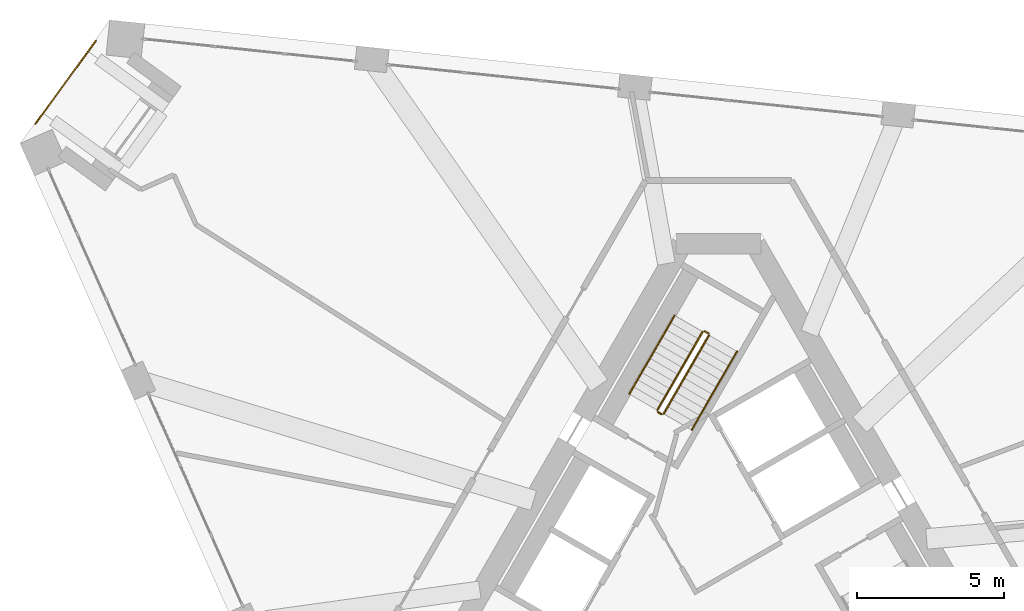
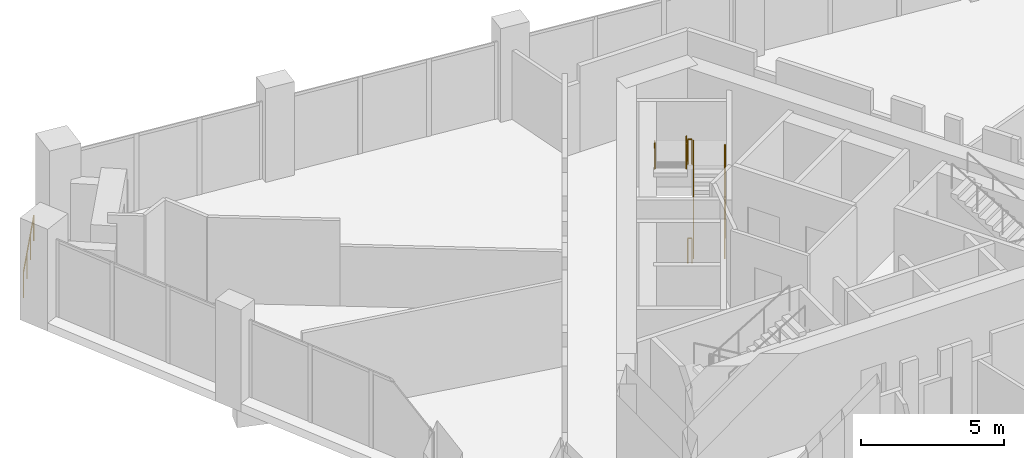
# One storey, part 13 of 15: 7 railings.
"""IFC4 building model written with IfcOpenShell, lengths in metres."""

from ifc_helpers import new_model, si_unit, direction, frame, origin, origin_2d, place, context, subcontext, project, spatial, circle, extrude, material, type_object, element, save


model = new_model("IFC4")

# Units and contexts
model_context = context("Model", 3, precision=1e-05, world=origin(), true_north=direction((0.0, 1.0)))
body_context = subcontext(model_context, "Body", "Model", "MODEL_VIEW")
ifc_project = project(units=[si_unit("LENGTHUNIT", "METRE"), si_unit("AREAUNIT", "SQUARE_METRE"), si_unit("VOLUMEUNIT", "CUBIC_METRE"), si_unit("PLANEANGLEUNIT", "RADIAN"), si_unit("MASSUNIT", "GRAM", prefix="KILO")], contexts=[model_context])

# Site, building, storey
site_placement = place(None, origin())
site = spatial("IfcSite", under=ifc_project, at=site_placement, CompositionType="ELEMENT")
building_placement = place(site_placement, origin())
building = spatial("IfcBuilding", under=site, at=building_placement, Name="Tramontana Tower", CompositionType="ELEMENT")
storey_placement = place(building_placement, frame((0.0, 0.0, 237.199951171875)))
storey = spatial("IfcBuildingStorey", under=building, at=storey_placement, Name="L55", CompositionType="ELEMENT", Elevation=237.199951171875)

# Railings
ifc_material_1 = material(Name="Laminated glass balustrade", Category="glass")
railing_type_1 = type_object("IfcRailingType", Name="GD1 Loggia glass balustrade 1100", PredefinedType="BALUSTRADE", material=ifc_material_1)
railing_1_placement = place(storey_placement, frame((-23.25244140625, 14.730712890625, 0.0)))
element("IfcRailing", 1, at=railing_1_placement, inside=storey, type_object=railing_type_1, Name="Corner loggia balustrade L55 K60", PredefinedType="BALUSTRADE", context=body_context, shape_type="SweptSolid", body=[
    extrude(circle(Radius=0.02392578125, at=origin_2d()), frame((0.0, 0.0, 1.076171875), z_axis=(0.587810807352, 0.808998426921, 0.0), x_axis=(-0.808998426921, 0.587810807352, 0.0)), (0.0, 0.0, 1.0), 3.5),
    extrude(circle(Radius=0.02099609375, at=origin_2d()), origin(), (0.0, 0.0, 1.0), 1.052001953125),
    extrude(circle(Radius=0.02099609375, at=origin_2d()), frame((0.685791015625, 0.94384765625, 0.0)), (0.0, 0.0, 1.0), 1.052001953125),
    extrude(circle(Radius=0.02099609375, at=origin_2d()), frame((1.37158203125, 1.8876953125, 0.0)), (0.0, 0.0, 1.0), 1.052001953125),
    extrude(circle(Radius=0.02099609375, at=origin_2d()), frame((2.057373046875, 2.83154296875, 0.0)), (0.0, 0.0, 1.0), 1.052001953125),
])
ifc_material_2 = material(Name="Painted steel", Category="steel")
railing_type_2 = type_object("IfcRailingType", Name="STAIR GUARD 1100", PredefinedType="GUARDRAIL", material=ifc_material_2)
railing_2_placement = place(storey_placement, frame((-1.867431640625, 4.865478515625, 0.166748046875)))
element("IfcRailing", 2, at=railing_2_placement, inside=storey, type_object=railing_type_2, Name="L55 ST1 stair guard 1", PredefinedType="GUARDRAIL", context=body_context, shape_type="SweptSolid", body=[
    extrude(circle(Radius=0.02392578125, at=origin_2d()), frame((0.0, 0.0, 1.076171875), z_axis=(0.429649414936, 0.744189839504, 0.511451721109), x_axis=(-0.866029832698, 0.499992328818, 0.0)), (0.0, 0.0, 1.0), 3.58447265625),
    extrude(circle(Radius=0.02099609375, at=origin_2d()), origin(), (0.0, 0.0, 1.0), 1.052001953125),
    extrude(circle(Radius=0.02099609375, at=origin_2d()), frame((0.513427734375, 0.88916015625, 0.611083984375)), (0.0, 0.0, 1.0), 1.052001953125),
    extrude(circle(Radius=0.02099609375, at=origin_2d()), frame((1.026611328125, 1.7783203125, 1.22216796875)), (0.0, 0.0, 1.0), 1.052001953125),
    extrude(circle(Radius=0.02099609375, at=origin_2d()), frame((1.5400390625, 2.66748046875, 1.833251953125)), (0.0, 0.0, 1.0), 1.052001953125),
])
railing_3_placement = place(storey_placement, frame((-0.5439453125, 7.657958984375, 2.166748046875)))
element("IfcRailing", 3, at=railing_3_placement, inside=storey, type_object=railing_type_2, Name="L55 ST1 stair guard 2", PredefinedType="GUARDRAIL", context=body_context, shape_type="SweptSolid", body=[
    extrude(circle(Radius=0.02392578125, at=origin_2d()), frame((0.0, 0.0, 1.076171875), z_axis=(-0.429649414936, -0.744189839504, 0.511451721109), x_axis=(0.866029832698, -0.499992328818, 0.0)), (0.0, 0.0, 1.0), 3.58447265625),
    extrude(circle(Radius=0.02099609375, at=origin_2d()), origin(), (0.0, 0.0, 1.0), 1.052001953125),
    extrude(circle(Radius=0.02099609375, at=origin_2d()), frame((-0.513427734375, -0.88916015625, 0.611083984375)), (0.0, 0.0, 1.0), 1.052001953125),
    extrude(circle(Radius=0.02099609375, at=origin_2d()), frame((-1.026611328125, -1.7783203125, 1.22216796875)), (0.0, 0.0, 1.0), 1.052001953125),
    extrude(circle(Radius=0.02099609375, at=origin_2d()), frame((-1.5400390625, -2.66748046875, 1.833251953125)), (0.0, 0.0, 1.0), 1.052001953125),
])
railing_4_placement = place(storey_placement, frame((-0.345703125, 7.601318359375, 2.0)))
element("IfcRailing", 4, at=railing_4_placement, inside=storey, type_object=railing_type_2, Name="L55 ST1 stair guard 3", PredefinedType="GUARDRAIL", context=body_context, shape_type="SweptSolid", body=[
    extrude(circle(Radius=0.02392578125, at=origin_2d()), frame((0.0, 0.0, 1.076171875), z_axis=(-0.866131372301, 0.499816412211, 0.0), x_axis=(-0.499816412211, -0.866131372301, 0.0)), (0.0, 0.0, 1.0), 0.14990234375),
    extrude(circle(Radius=0.02099609375, at=origin_2d()), origin(), (0.0, 0.0, 1.0), 1.052001953125),
    extrude(circle(Radius=0.02099609375, at=origin_2d()), frame((-0.1298828125, 0.074951171875, 0.0)), (0.0, 0.0, 1.0), 1.052001953125),
])
railing_5_placement = place(storey_placement, frame((-1.935791015625, 4.84716796875, 0.0)))
element("IfcRailing", 5, at=railing_5_placement, inside=storey, type_object=railing_type_2, Name="L55 ST1 stair guard 4", PredefinedType="GUARDRAIL", context=body_context, shape_type="SweptSolid", body=[
    extrude(circle(Radius=0.02392578125, at=origin_2d()), frame((0.0, 0.0, 1.076171875), z_axis=(-0.865426285481, 0.501036270542, 0.0), x_axis=(-0.501036270542, -0.865426285481, 0.0)), (0.0, 0.0, 1.0), 0.150146484375),
    extrude(circle(Radius=0.02099609375, at=origin_2d()), origin(), (0.0, 0.0, 1.0), 1.052001953125),
    extrude(circle(Radius=0.02099609375, at=origin_2d()), frame((-0.1298828125, 0.0751953125, 0.0)), (0.0, 0.0, 1.0), 1.052001953125),
])
ifc_material_3 = material(Name="Painted steel", Category="steel")
railing_type_3 = type_object("IfcRailingType", Name="STAIR HANDRAIL 900", PredefinedType="HANDRAIL", material=ifc_material_3)
railing_6_placement = place(storey_placement, frame((-0.914794921875, 4.315673828125, 0.166748046875)))
element("IfcRailing", 6, at=railing_6_placement, inside=storey, type_object=railing_type_3, Name="L55 ST1 stair handrail 1", PredefinedType="HANDRAIL", context=body_context, shape_type="SweptSolid", body=[
    extrude(circle(Radius=0.02392578125, at=origin_2d()), frame((0.0, 0.0, 0.8759765625), z_axis=(0.429671193721, 0.744159446956, 0.511477646425), x_axis=(-0.866010015463, 0.500026652407, 0.0)), (0.0, 0.0, 1.0), 3.584228515625),
    extrude(circle(Radius=0.02099609375, at=origin_2d()), origin(), (0.0, 0.0, 1.0), 0.851806640625),
    extrude(circle(Radius=0.02099609375, at=origin_2d()), frame((0.513427734375, 0.88916015625, 0.611083984375)), (0.0, 0.0, 1.0), 0.851806640625),
    extrude(circle(Radius=0.02099609375, at=origin_2d()), frame((1.026611328125, 1.778076171875, 1.22216796875)), (0.0, 0.0, 1.0), 0.851806640625),
    extrude(circle(Radius=0.02099609375, at=origin_2d()), frame((1.5400390625, 2.667236328125, 1.833251953125)), (0.0, 0.0, 1.0), 0.851806640625),
])
railing_7_placement = place(storey_placement, frame((-1.49658203125, 8.2080078125, 2.166748046875)))
element("IfcRailing", 7, at=railing_7_placement, inside=storey, type_object=railing_type_3, Name="L55 ST1 stair handrail 2", PredefinedType="HANDRAIL", context=body_context, shape_type="SweptSolid", body=[
    extrude(circle(Radius=0.02392578125, at=origin_2d()), frame((0.0, 0.0, 0.8759765625), z_axis=(-0.429649414936, -0.744189839504, 0.511451721109), x_axis=(0.866029832698, -0.499992328818, 0.0)), (0.0, 0.0, 1.0), 3.58447265625),
    extrude(circle(Radius=0.02099609375, at=origin_2d()), origin(), (0.0, 0.0, 1.0), 0.851806640625),
    extrude(circle(Radius=0.02099609375, at=origin_2d()), frame((-0.513427734375, -0.88916015625, 0.611083984375)), (0.0, 0.0, 1.0), 0.851806640625),
    extrude(circle(Radius=0.02099609375, at=origin_2d()), frame((-1.026611328125, -1.7783203125, 1.22216796875)), (0.0, 0.0, 1.0), 0.851806640625),
    extrude(circle(Radius=0.02099609375, at=origin_2d()), frame((-1.5400390625, -2.66748046875, 1.833251953125)), (0.0, 0.0, 1.0), 0.851806640625),
])

save(model, "model.ifc")
